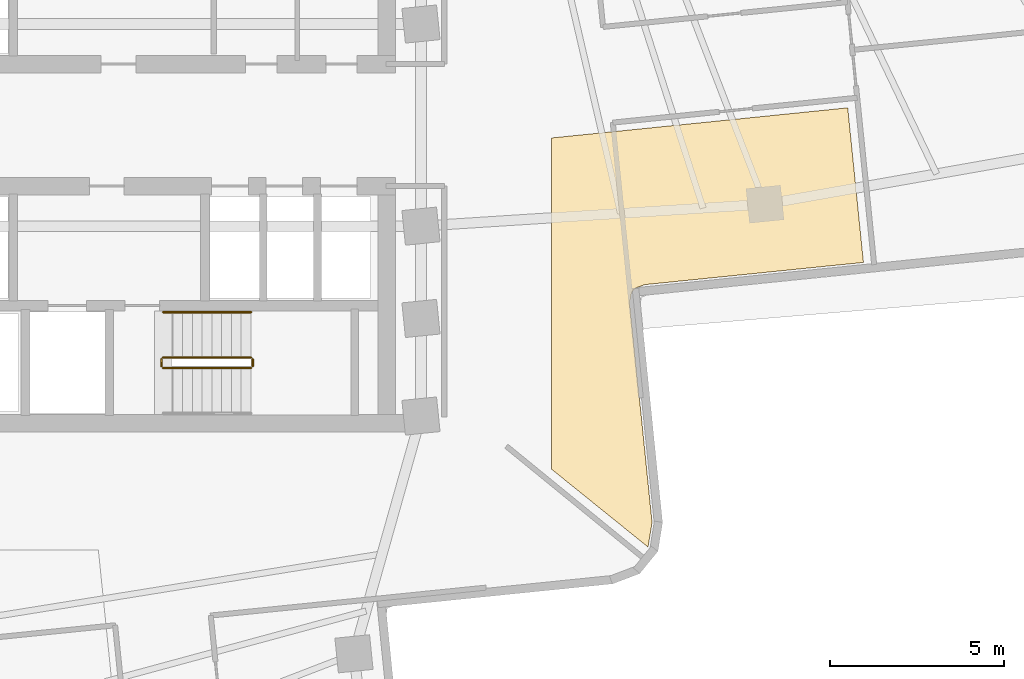
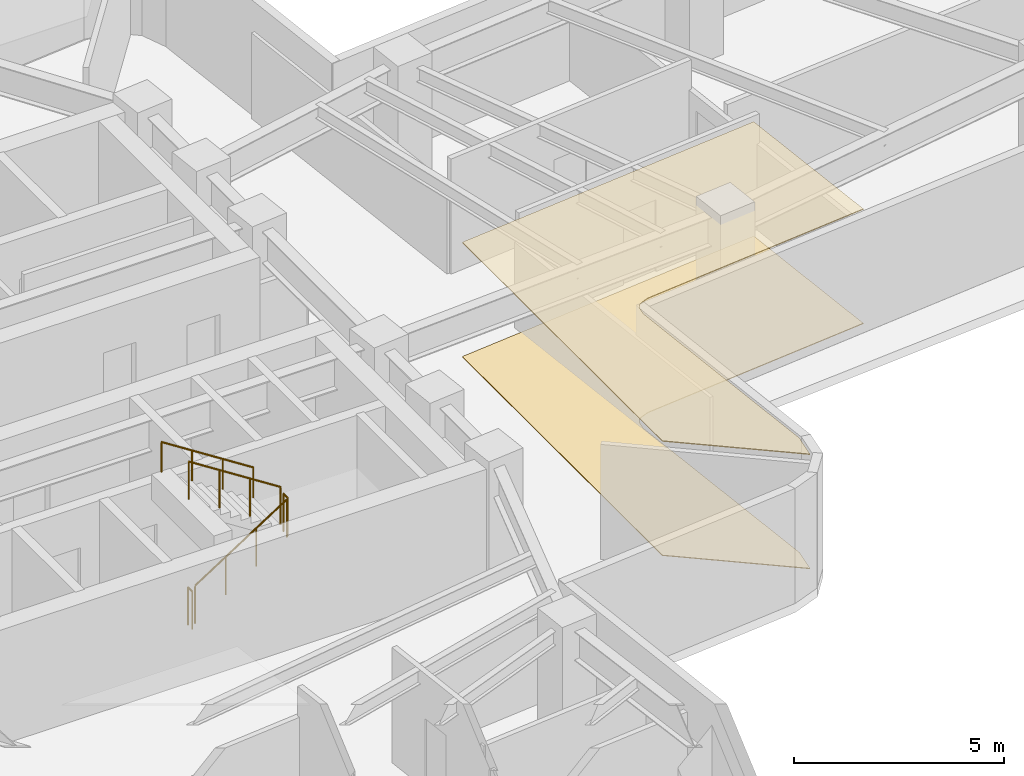
# One storey, part 12 of 14: 5 railings, 2 coverings.
"""IFC4 building model written with IfcOpenShell, lengths in metres."""

from ifc_helpers import new_model, si_unit, direction, frame, origin, origin_2d, place, context, subcontext, project, spatial, polyline, circle, outline, extrude, material, layer, layer_set, type_object, element, save


model = new_model("IFC4")

# Units and contexts
model_context = context("Model", 3, precision=1e-05, world=origin(), true_north=direction((0.0, 1.0)))
body_context = subcontext(model_context, "Body", "Model", "MODEL_VIEW")
ifc_project = project(units=[si_unit("LENGTHUNIT", "METRE"), si_unit("AREAUNIT", "SQUARE_METRE"), si_unit("VOLUMEUNIT", "CUBIC_METRE"), si_unit("PLANEANGLEUNIT", "RADIAN"), si_unit("MASSUNIT", "GRAM", prefix="KILO")], contexts=[model_context])

# Site, building, storey
site_placement = place(None, origin())
site = spatial("IfcSite", under=ifc_project, at=site_placement, CompositionType="ELEMENT")
building_placement = place(site_placement, origin())
building = spatial("IfcBuilding", under=site, at=building_placement, Name="Solmarez Civic Tower", CompositionType="ELEMENT")
storey_placement = place(building_placement, frame((0.0, 0.0, 67.679931640625)))
storey = spatial("IfcBuildingStorey", under=building, at=storey_placement, Name="L17", CompositionType="ELEMENT", Elevation=67.679931640625)

# Coverings
ifc_material_1 = material(Name="Perforated Mineral-Fibre Acoustic Ceiling")
ifc_layer_1 = layer(ifc_material_1, 0.02490234375)
ifc_layer_set_1 = layer_set([ifc_layer_1], Name="Perforated Mineral-Fibre Acoustic Ceiling")
covering_type_1 = type_object("IfcCoveringType", Name="COV-CEIL-ACOUSTIC", PredefinedType="CEILING", material=ifc_layer_set_1)
covering_1_placement = place(storey_placement, frame((0.0, 0.0, 3.315185546875)))
element("IfcCovering", 1, at=covering_1_placement, inside=storey, type_object=covering_type_1, Name="L17 Suspended Acoustic Ceiling 3", PredefinedType="CEILING", context=body_context, shape_type="SweptSolid", body=[
    extrude(outline(polyline([(12.60009765625, -0.368896484375), (12.60009765625, -9.87890625), (15.364013671875, -12.10888671875), (15.367919921875, -12.10302734375), (15.48193359375, -11.404052734375), (14.844970703125, -5.136962890625), (14.843994140625, -5.114990234375), (14.843994140625, -5.10107421875), (14.845947265625, -5.070068359375), (14.847900390625, -5.05908203125), (14.875, -4.888916015625), (14.87890625, -4.87109375), (14.881103515625, -4.863037109375), (14.882080078125, -4.85595703125), (14.884033203125, -4.84912109375), (14.89404296875, -4.822021484375), (14.89697265625, -4.81494140625), (14.89990234375, -4.80810546875), (14.908935546875, -4.7890625), (14.919921875, -4.77099609375), (14.93310546875, -4.75390625), (14.93798828125, -4.748046875), (14.943115234375, -4.741943359375), (14.9560546875, -4.72705078125), (14.9609375, -4.721923828125), (14.97607421875, -4.708984375), (14.98193359375, -4.7041015625), (15.0009765625, -4.68994140625), (15.007080078125, -4.68603515625), (15.02001953125, -4.677978515625), (15.027099609375, -4.674072265625), (15.049072265625, -4.6630859375), (15.055908203125, -4.659912109375), (15.06494140625, -4.656005859375), (15.22509765625, -4.594970703125), (15.242919921875, -4.589111328125), (15.25, -4.5869140625), (15.257080078125, -4.5849609375), (15.285888671875, -4.5791015625), (15.29296875, -4.577880859375), (15.302001953125, -4.576904296875), (21.549072265625, -3.94189453125), (21.097900390625, 0.4951171875), (12.60009765625, -0.368896484375)])), origin(), (0.0, 0.0, 1.0), 0.02490234375),
])
ifc_material_2 = material(Name="Polished Tropical Stone Terrazzo Flooring", Category="masonry")
ifc_layer_2 = layer(ifc_material_2, 0.02001953125)
ifc_layer_set_2 = layer_set([ifc_layer_2], Name="Polished Tropical Stone Terrazzo Flooring")
covering_type_2 = type_object("IfcCoveringType", Name="COV-FLOOR-TERRAZZO", PredefinedType="FLOORING", material=ifc_layer_set_2)
covering_2_placement = place(storey_placement, origin())
element("IfcCovering", 2, at=covering_2_placement, inside=storey, type_object=covering_type_2, Name="L17 Terrazzo Floor Finish 3", PredefinedType="FLOORING", context=body_context, shape_type="SweptSolid", body=[
    extrude(outline(polyline([(12.60009765625, -0.368896484375), (12.60009765625, -9.87890625), (15.364013671875, -12.10888671875), (15.367919921875, -12.10302734375), (15.48193359375, -11.404052734375), (14.844970703125, -5.136962890625), (14.843994140625, -5.114990234375), (14.843994140625, -5.10107421875), (14.845947265625, -5.070068359375), (14.847900390625, -5.05908203125), (14.875, -4.888916015625), (14.87890625, -4.87109375), (14.881103515625, -4.863037109375), (14.882080078125, -4.85595703125), (14.884033203125, -4.84912109375), (14.89404296875, -4.822021484375), (14.89697265625, -4.81494140625), (14.89990234375, -4.80810546875), (14.908935546875, -4.7890625), (14.919921875, -4.77099609375), (14.93310546875, -4.75390625), (14.93798828125, -4.748046875), (14.943115234375, -4.741943359375), (14.9560546875, -4.72705078125), (14.9609375, -4.721923828125), (14.97607421875, -4.708984375), (14.98193359375, -4.7041015625), (15.0009765625, -4.68994140625), (15.007080078125, -4.68603515625), (15.02001953125, -4.677978515625), (15.027099609375, -4.674072265625), (15.049072265625, -4.6630859375), (15.055908203125, -4.659912109375), (15.06494140625, -4.656005859375), (15.22509765625, -4.594970703125), (15.242919921875, -4.589111328125), (15.25, -4.5869140625), (15.257080078125, -4.5849609375), (15.285888671875, -4.5791015625), (15.29296875, -4.577880859375), (15.302001953125, -4.576904296875), (21.549072265625, -3.94189453125), (21.097900390625, 0.4951171875), (12.60009765625, -0.368896484375)])), origin(), (0.0, 0.0, 1.0), 0.02001953125),
])

# Railings
ifc_material_3 = material(Name="Painted Steel Stairwell Safety Guard", Category="steel")
railing_type_1 = type_object("IfcRailingType", Name="GUARD-STAIR-1120", PredefinedType="BALUSTRADE", material=ifc_material_3)
railing_1_placement = place(storey_placement, frame((1.449951171875, -6.969970703125, 0.18017578125)))
element("IfcRailing", 3, at=railing_1_placement, inside=storey, type_object=railing_type_1, Name="L17 ST-2 stair guard 1", PredefinedType="BALUSTRADE", context=body_context, shape_type="SweptSolid", body=[
    extrude(circle(Radius=0.02392578125, at=origin_2d()), frame((0.0, 0.0, 1.09619140625), z_axis=(0.841199657755, 0.0, 0.540724639528), x_axis=(0.0, 1.0, 0.0)), (0.0, 0.0, 1.0), 2.995849609375),
    extrude(circle(Radius=0.02099609375, at=origin_2d()), origin(), (0.0, 0.0, 1.0), 1.072021484375),
    extrude(circle(Radius=0.02099609375, at=origin_2d()), frame((0.840087890625, 0.0, 0.5400390625)), (0.0, 0.0, 1.0), 1.072021484375),
    extrude(circle(Radius=0.02099609375, at=origin_2d()), frame((1.679931640625, 0.0, 1.079833984375)), (0.0, 0.0, 1.0), 1.072021484375),
    extrude(circle(Radius=0.02099609375, at=origin_2d()), frame((2.52001953125, 0.0, 1.619873046875)), (0.0, 0.0, 1.0), 1.072021484375),
])
railing_2_placement = place(storey_placement, frame((4.02001953125, -6.919921875, 1.800048828125)))
element("IfcRailing", 4, at=railing_2_placement, inside=storey, type_object=railing_type_1, Name="L17 ST-2 stair guard 2", PredefinedType="BALUSTRADE", context=body_context, shape_type="SweptSolid", body=[
    extrude(circle(Radius=0.02392578125, at=origin_2d()), frame((0.0, 0.0, 1.09619140625), z_axis=(0.0, 1.0, 0.0), x_axis=(-1.0, 0.0, 0.0)), (0.0, 0.0, 1.0), 0.199951171875),
    extrude(circle(Radius=0.02099609375, at=origin_2d()), origin(), (0.0, 0.0, 1.0), 1.072021484375),
    extrude(circle(Radius=0.02099609375, at=origin_2d()), frame((0.0, 0.199951171875, 0.0)), (0.0, 0.0, 1.0), 1.072021484375),
])
railing_3_placement = place(storey_placement, frame((3.969970703125, -6.669921875, 1.97998046875)))
element("IfcRailing", 5, at=railing_3_placement, inside=storey, type_object=railing_type_1, Name="L17 ST-2 stair guard 3", PredefinedType="BALUSTRADE", context=body_context, shape_type="SweptSolid", body=[
    extrude(circle(Radius=0.02392578125, at=origin_2d()), frame((0.0, 0.0, 1.09619140625), z_axis=(-0.841162588446, 0.0, 0.540782303519), x_axis=(0.0, -1.0, 0.0)), (0.0, 0.0, 1.0), 2.995849609375),
    extrude(circle(Radius=0.02099609375, at=origin_2d()), origin(), (0.0, 0.0, 1.0), 1.072021484375),
    extrude(circle(Radius=0.02099609375, at=origin_2d()), frame((-0.840087890625, 0.0, 0.5400390625)), (0.0, 0.0, 1.0), 1.072021484375),
    extrude(circle(Radius=0.02099609375, at=origin_2d()), frame((-1.679931640625, 0.0, 1.080078125)), (0.0, 0.0, 1.0), 1.072021484375),
    extrude(circle(Radius=0.02099609375, at=origin_2d()), frame((-2.52001953125, 0.0, 1.6201171875)), (0.0, 0.0, 1.0), 1.072021484375),
])
railing_4_placement = place(storey_placement, frame((1.39990234375, -6.919921875, 0.0)))
element("IfcRailing", 6, at=railing_4_placement, inside=storey, type_object=railing_type_1, Name="L17 ST-2 stair guard 4", PredefinedType="BALUSTRADE", context=body_context, shape_type="SweptSolid", body=[
    extrude(circle(Radius=0.02392578125, at=origin_2d()), frame((0.0, 0.0, 1.09619140625), z_axis=(0.0, 1.0, 0.0), x_axis=(-1.0, 0.0, 0.0)), (0.0, 0.0, 1.0), 0.199951171875),
    extrude(circle(Radius=0.02099609375, at=origin_2d()), origin(), (0.0, 0.0, 1.0), 1.072021484375),
    extrude(circle(Radius=0.02099609375, at=origin_2d()), frame((0.0, 0.199951171875, 0.0)), (0.0, 0.0, 1.0), 1.072021484375),
])
ifc_material_4 = material(Name="Brushed Stainless Steel Tube Handrail", Category="steel")
railing_type_2 = type_object("IfcRailingType", Name="HANDRAIL-STAIR-900", PredefinedType="HANDRAIL", material=ifc_material_4)
railing_5_placement = place(storey_placement, frame((3.969970703125, -5.3701171875, 1.97998046875)))
element("IfcRailing", 7, at=railing_5_placement, inside=storey, type_object=railing_type_2, Name="L17 ST-2 stair handrail 2", PredefinedType="HANDRAIL", context=body_context, shape_type="SweptSolid", body=[
    extrude(circle(Radius=0.02392578125, at=origin_2d()), frame((0.0, 0.0, 0.8759765625), z_axis=(-0.841162588446, 0.0, 0.540782303519), x_axis=(0.0, -1.0, 0.0)), (0.0, 0.0, 1.0), 2.995849609375),
    extrude(circle(Radius=0.02099609375, at=origin_2d()), origin(), (0.0, 0.0, 1.0), 0.851806640625),
    extrude(circle(Radius=0.02099609375, at=origin_2d()), frame((-0.840087890625, 0.0, 0.5400390625)), (0.0, 0.0, 1.0), 0.851806640625),
    extrude(circle(Radius=0.02099609375, at=origin_2d()), frame((-1.679931640625, 0.0, 1.080078125)), (0.0, 0.0, 1.0), 0.851806640625),
    extrude(circle(Radius=0.02099609375, at=origin_2d()), frame((-2.52001953125, 0.0, 1.6201171875)), (0.0, 0.0, 1.0), 0.851806640625),
])

save(model, "model.ifc")
